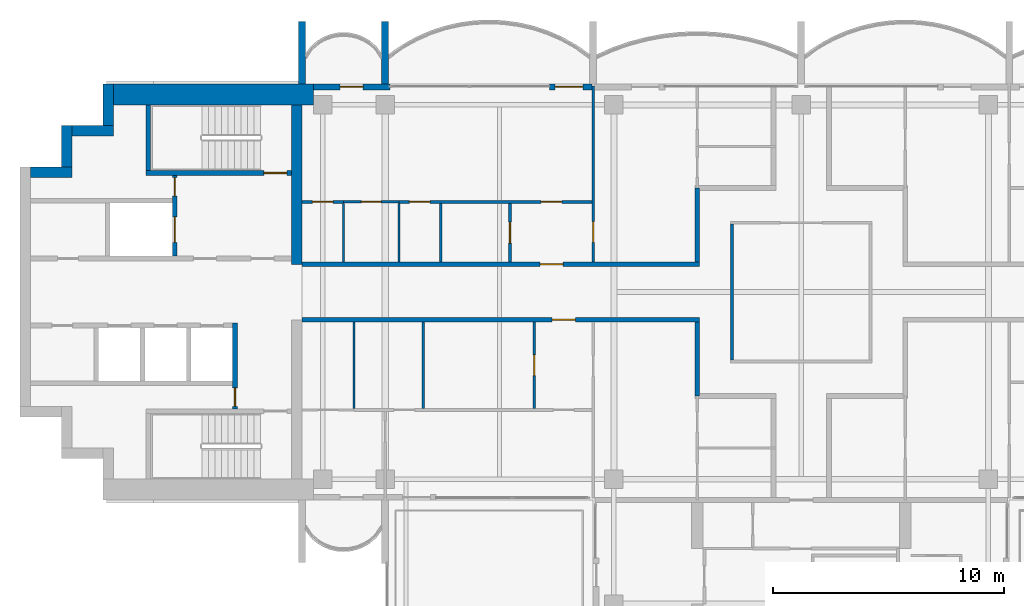
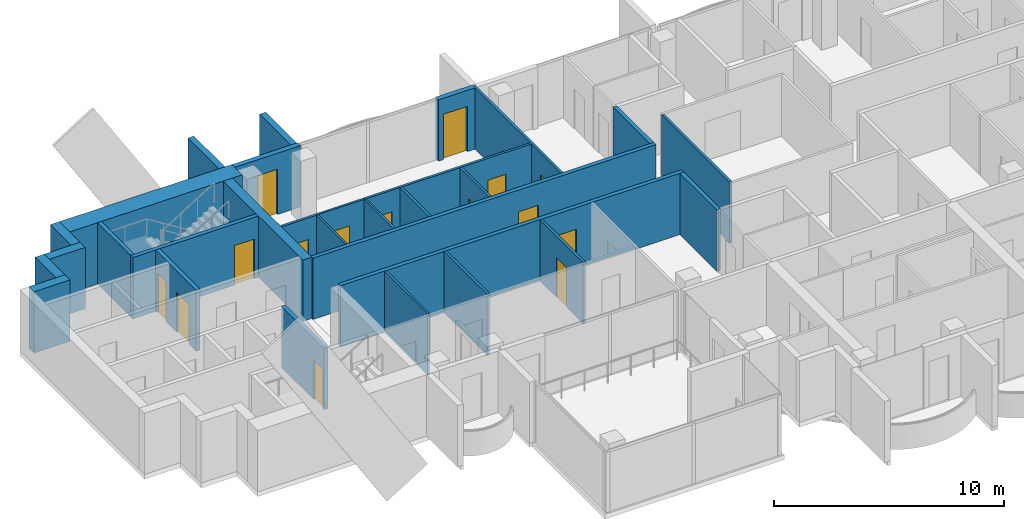
# One storey, part 8 of 16: 30 walls, 15 doors, 15 openings.
"""IFC4 building model written with IfcOpenShell, lengths in metres."""

from ifc_helpers import new_model, si_unit, direction, frame, frame_2d, origin, place, context, subcontext, project, spatial, rectangle, extrude, material, layer, layer_set, type_object, element, fill, save


model = new_model("IFC4")

# Units and contexts
model_context = context("Model", 3, precision=1e-05, world=origin(), true_north=direction((0.0, 1.0)))
body_context = subcontext(model_context, "Body", "Model", "MODEL_VIEW")
ifc_project = project(units=[si_unit("LENGTHUNIT", "METRE"), si_unit("AREAUNIT", "SQUARE_METRE"), si_unit("VOLUMEUNIT", "CUBIC_METRE"), si_unit("PLANEANGLEUNIT", "RADIAN"), si_unit("MASSUNIT", "GRAM", prefix="KILO")], contexts=[model_context])

# Site, building, storey
site_placement = place(None, origin())
site = spatial("IfcSite", under=ifc_project, at=site_placement, CompositionType="ELEMENT")
building_placement = place(site_placement, origin())
building = spatial("IfcBuilding", under=site, at=building_placement, Name="Perihelion Cross Residences", CompositionType="ELEMENT")
storey_placement = place(building_placement, frame((0.0, 0.0, 250.0)))
storey = spatial("IfcBuildingStorey", under=building, at=storey_placement, Name="L63", CompositionType="ELEMENT", Elevation=250.0)

# Wall, opening, door
ifc_material_1 = material(Name="Plasterboard partition")
ifc_layer_1 = layer(ifc_material_1, 0.199951171875)
ifc_layer_set_1 = layer_set([ifc_layer_1], Name="Apartment separation wall 200")
wall_type_1 = type_object("IfcWallType", Name="Apartment separation wall 200", PredefinedType="PARTITIONING", material=ifc_layer_set_1)
wall_1_placement = place(storey_placement, frame((-21.60009765625, 1.199951171875, 0.0), z_axis=(0.0, 0.0, 1.0), x_axis=(1.0, 0.0, 0.0)))
wall_1 = element("IfcWall", 1, at=wall_1_placement, inside=storey, type_object=wall_type_1, Name="Partition L63 W013", PredefinedType="PARTITIONING", context=body_context, shape_type="SweptSolid", body=[
    extrude(rectangle(XDim=17.2001953125, YDim=0.199951171875, at=frame_2d((8.60009765625, 0.0))), origin(), (0.0, 0.0, 1.0), 3.25),
])
opening_1_placement = place(wall_1_placement, frame((10.300048828125, 0.0, 0.0)))
opening_1 = element("IfcOpeningElement", 2, at=opening_1_placement, cuts=wall_1, Name="Opening L63.A40", PredefinedType="OPENING", context=body_context, shape_type="SweptSolid", body=[
    extrude(rectangle(XDim=1.0, YDim=2.10009765625, at=frame_2d((0.5, 1.050048828125))), frame((0.0, 0.10986328125, 0.0), z_axis=(0.0, -1.0, 0.0), x_axis=(1.0, 0.0, 0.0)), (0.0, 0.0, 1.0), 0.219970703125),
])
ifc_material_2 = material(Name="Timber door leaf", Category="wood")
door_type_1 = type_object("IfcDoorType", Name="Flat entrance door 1000 x 2100", OperationType="SINGLE_SWING_LEFT", PredefinedType="DOOR", material=ifc_material_2)
door_1_placement = place(opening_1_placement, origin())
door_1 = element("IfcDoor", 3, at=door_1_placement, inside=storey, type_object=door_type_1, Name="Door L63.A40", OperationType="SINGLE_SWING_RIGHT", OverallHeight=2.10009765625, OverallWidth=1.0, PredefinedType="DOOR", context=body_context, shape_type="SweptSolid", body=[
    extrude(rectangle(XDim=1.0, YDim=2.10009765625, at=frame_2d((0.5, 1.050048828125))), frame((0.0, 0.02490234375, 0.0), z_axis=(0.0, -1.0, 0.0), x_axis=(1.0, 0.0, 0.0)), (0.0, 0.0, 1.0), 0.050048828125),
])
fill(opening_1, door_1)

# Wall
wall_2_placement = place(storey_placement, frame((-4.5, 1.300048828125, 0.0), z_axis=(0.0, 0.0, 1.0), x_axis=(0.0, 1.0, 0.0)))
element("IfcWall", 4, at=wall_2_placement, inside=storey, type_object=wall_type_1, Name="Partition L63 W014", PredefinedType="PARTITIONING", context=body_context, shape_type="SweptSolid", body=[
    extrude(rectangle(XDim=3.199951171875, YDim=0.199951171875, at=frame_2d((1.60009765625, 0.0))), origin(), (0.0, 0.0, 1.0), 3.25),
])

# Wall, opening, door
wall_3_placement = place(storey_placement, frame((-4.39990234375, -1.199951171875, 0.0), z_axis=(0.0, 0.0, 1.0), x_axis=(-1.0, 0.0, 0.0)))
wall_3 = element("IfcWall", 5, at=wall_3_placement, inside=storey, type_object=wall_type_1, Name="Partition L63 W017", PredefinedType="PARTITIONING", context=body_context, shape_type="SweptSolid", body=[
    extrude(rectangle(XDim=17.2001953125, YDim=0.199951171875, at=frame_2d((8.60009765625, 0.0))), origin(), (0.0, 0.0, 1.0), 3.25),
])
opening_2_placement = place(wall_3_placement, frame((5.375, 0.0, 0.0)))
opening_2 = element("IfcOpeningElement", 6, at=opening_2_placement, cuts=wall_3, Name="Opening L63.A41", PredefinedType="OPENING", context=body_context, shape_type="SweptSolid", body=[
    extrude(rectangle(XDim=1.0, YDim=2.10009765625, at=frame_2d((0.5, 1.050048828125))), frame((0.0, 0.10986328125, 0.0), z_axis=(0.0, -1.0, 0.0), x_axis=(1.0, 0.0, 0.0)), (0.0, 0.0, 1.0), 0.219970703125),
])
door_2_placement = place(opening_2_placement, origin())
door_2 = element("IfcDoor", 7, at=door_2_placement, inside=storey, type_object=door_type_1, Name="Door L63.A41", OperationType="SINGLE_SWING_RIGHT", OverallHeight=2.10009765625, OverallWidth=1.0, PredefinedType="DOOR", context=body_context, shape_type="SweptSolid", body=[
    extrude(rectangle(XDim=1.0, YDim=2.10009765625, at=frame_2d((0.5, 1.050048828125))), frame((0.0, 0.02490234375, 0.0), z_axis=(0.0, -1.0, 0.0), x_axis=(1.0, 0.0, 0.0)), (0.0, 0.0, 1.0), 0.050048828125),
])
fill(opening_2, door_2)

# Wall
wall_4_placement = place(storey_placement, frame((-4.5, -4.5, 0.0), z_axis=(0.0, 0.0, 1.0), x_axis=(0.0, 1.0, 0.0)))
element("IfcWall", 8, at=wall_4_placement, inside=storey, type_object=wall_type_1, Name="Partition L63 W018", PredefinedType="PARTITIONING", context=body_context, shape_type="SweptSolid", body=[
    extrude(rectangle(XDim=3.199951171875, YDim=0.199951171875, at=frame_2d((1.60009765625, 0.0))), origin(), (0.0, 0.0, 1.0), 3.25),
])

# Wall, opening, door
ifc_material_3 = material(Name="Concrete C30/37, bronze-clad", Category="concrete")
ifc_layer_2 = layer(ifc_material_3, 0.25)
ifc_layer_set_2 = layer_set([ifc_layer_2], Name="Bronze-clad pier wall 250")
wall_type_2 = type_object("IfcWallType", Name="Bronze-clad pier wall 250", PredefinedType="SOLIDWALL", material=ifc_layer_set_2)
wall_5_placement = place(storey_placement, frame((-9.06005859375, 8.875, 0.0), z_axis=(0.0, 0.0, 1.0), x_axis=(-1.0, 0.0, 0.0)))
wall_5 = element("IfcWall", 9, at=wall_5_placement, inside=storey, type_object=wall_type_2, Name="Wall FW1 L63 west side north bay 1 pier", PredefinedType="SOLIDWALL", context=body_context, shape_type="SweptSolid", body=[
    extrude(rectangle(XDim=1.83984375, YDim=0.25, at=frame_2d((0.919921875, 0.0))), origin(), (0.0, 0.0, 1.0), 3.25),
])
opening_3_placement = place(wall_5_placement, frame((0.389892578125, 0.0, 0.0)))
opening_3 = element("IfcOpeningElement", 10, at=opening_3_placement, cuts=wall_5, Name="Opening L63.E05", PredefinedType="OPENING", context=body_context, shape_type="SweptSolid", body=[
    extrude(rectangle(XDim=1.199951171875, YDim=2.39990234375, at=frame_2d((0.60009765625, 1.199951171875))), frame((0.0, 0.135009765625, 0.0), z_axis=(0.0, -1.0, 0.0), x_axis=(1.0, 0.0, 0.0)), (0.0, 0.0, 1.0), 0.27001953125),
])
ifc_material_4 = material(Name="Bronze anodised aluminium, glazed", Category="aluminium")
door_type_2 = type_object("IfcDoorType", Name="Balcony door 1200 x 2400", OperationType="NOTDEFINED", PredefinedType="DOOR", material=ifc_material_4)
door_3_placement = place(opening_3_placement, origin())
door_3 = element("IfcDoor", 11, at=door_3_placement, inside=storey, type_object=door_type_2, Name="Door L63.E05 west side north bay 1", OperationType="SINGLE_SWING_LEFT", OverallHeight=2.39990234375, OverallWidth=1.199951171875, PredefinedType="DOOR", context=body_context, shape_type="SweptSolid", body=[
    extrude(rectangle(XDim=1.199951171875, YDim=2.39990234375, at=frame_2d((0.60009765625, 1.199951171875))), frame((0.0, 0.02490234375, 0.0), z_axis=(0.0, -1.0, 0.0), x_axis=(1.0, 0.0, 0.0)), (0.0, 0.0, 1.0), 0.050048828125),
])
fill(opening_3, door_3)

wall_6_placement = place(storey_placement, frame((-17.800048828125, 8.875, 0.0), z_axis=(0.0, 0.0, 1.0), x_axis=(-1.0, 0.0, 0.0)))
wall_6 = element("IfcWall", 12, at=wall_6_placement, inside=storey, type_object=wall_type_2, Name="Wall FW1 L63 west side north bay 2 pier", PredefinedType="SOLIDWALL", context=body_context, shape_type="SweptSolid", body=[
    extrude(rectangle(XDim=3.300048828125, YDim=0.25, at=frame_2d((1.64990234375, 0.0))), origin(), (0.0, 0.0, 1.0), 3.25),
])
opening_4_placement = place(wall_6_placement, frame((1.14990234375, 0.0, 0.0)))
opening_4 = element("IfcOpeningElement", 13, at=opening_4_placement, cuts=wall_6, Name="Opening L63.E06", PredefinedType="OPENING", context=body_context, shape_type="SweptSolid", body=[
    extrude(rectangle(XDim=1.0, YDim=2.39990234375, at=frame_2d((0.5, 1.199951171875))), frame((0.0, 0.135009765625, 0.0), z_axis=(0.0, -1.0, 0.0), x_axis=(1.0, 0.0, 0.0)), (0.0, 0.0, 1.0), 0.27001953125),
])
ifc_material_5 = material(Name="Bronze anodised aluminium, glazed", Category="aluminium")
door_type_3 = type_object("IfcDoorType", Name="Balcony door 1000 x 2400", OperationType="NOTDEFINED", PredefinedType="DOOR", material=ifc_material_5)
door_4_placement = place(opening_4_placement, origin())
door_4 = element("IfcDoor", 14, at=door_4_placement, inside=storey, type_object=door_type_3, Name="Door L63.E06 west side north bay 2", OperationType="SINGLE_SWING_RIGHT", OverallHeight=2.39990234375, OverallWidth=1.0, PredefinedType="DOOR", context=body_context, shape_type="SweptSolid", body=[
    extrude(rectangle(XDim=1.0, YDim=2.39990234375, at=frame_2d((0.5, 1.199951171875))), frame((0.0, 0.02490234375, 0.0), z_axis=(0.0, -1.0, 0.0), x_axis=(1.0, 0.0, 0.0)), (0.0, 0.0, 1.0), 0.050048828125),
])
fill(opening_4, door_4)

# Walls
ifc_material_6 = material(Name="Concrete C60/75", Category="concrete")
ifc_layer_3 = layer(ifc_material_6, 0.449951171875)
ifc_layer_set_3 = layer_set([ifc_layer_3], Name="Core wall, inner 450")
wall_type_3 = type_object("IfcWallType", Name="Core wall, inner 450", PredefinedType="SHEAR", material=ifc_layer_set_3)
wall_7_placement = place(storey_placement, frame((-21.824951171875, 1.199951171875, 0.0), z_axis=(0.0, 0.0, 1.0), x_axis=(0.0, 1.0, 0.0)))
element("IfcWall", 15, at=wall_7_placement, inside=storey, type_object=wall_type_3, Name="West core core wall, inner", PredefinedType="SHEAR", context=body_context, shape_type="SweptSolid", body=[
    extrude(rectangle(XDim=6.900146484375, YDim=0.449951171875, at=frame_2d((3.4501953125, 0.0))), origin(), (0.0, 0.0, 1.0), 3.25),
])
ifc_material_7 = material(Name="Concrete C60/75", Category="concrete")
ifc_layer_4 = layer(ifc_material_7, 0.449951171875)
ifc_layer_set_4 = layer_set([ifc_layer_4], Name="Core wall, outer 450")
wall_type_4 = type_object("IfcWallType", Name="Core wall, outer 450", PredefinedType="SHEAR", material=ifc_layer_set_4)
for number, where, z_axis, x_axis, name in (
    (16, (-33.35009765625, 5.175048828125, 0.0), (0.0, 0.0, 1.0), (1.0, 0.0, 0.0), "West core core wall, outer"),
    (17, (-31.77490234375, 5.39990234375, 0.0), (0.0, 0.0, 1.0), (0.0, 1.0, 0.0), "West core core wall, outer"),
    (18, (-31.550048828125, 6.97509765625, 0.0), (0.0, 0.0, 1.0), (1.0, 0.0, 0.0), "West core core wall, outer"),
    (19, (-29.97509765625, 7.199951171875, 0.0), (0.0, 0.0, 1.0), (0.0, 1.0, 0.0), "West core core wall, outer"),
):
    element("IfcWall", number, at=place(storey_placement, frame(where, z_axis=z_axis, x_axis=x_axis)), inside=storey, type_object=wall_type_4, Name=name, PredefinedType="SHEAR", context=body_context, shape_type="SweptSolid", body=[
        extrude(rectangle(XDim=1.800048828125, YDim=0.449951171875, at=frame_2d((0.89990234375, 0.0))), origin(), (0.0, 0.0, 1.0), 3.25),
    ])
ifc_material_8 = material(Name="Concrete C60/75", Category="concrete")
ifc_layer_5 = layer(ifc_material_8, 0.89990234375)
ifc_layer_set_5 = layer_set([ifc_layer_5], Name="Core wall, outer 900")
wall_type_5 = type_object("IfcWallType", Name="Core wall, outer 900", PredefinedType="SHEAR", material=ifc_layer_set_5)
wall_8_placement = place(storey_placement, frame((-29.75, 8.550048828125, 0.0), z_axis=(0.0, 0.0, 1.0), x_axis=(1.0, 0.0, 0.0)))
element("IfcWall", 20, at=wall_8_placement, inside=storey, type_object=wall_type_5, Name="West core core wall, outer", PredefinedType="SHEAR", context=body_context, shape_type="SweptSolid", body=[
    extrude(rectangle(XDim=8.64990234375, YDim=0.89990234375, at=frame_2d((4.324951171875, 0.0))), origin(), (0.0, 0.0, 1.0), 3.25),
])

# Wall, opening, door
ifc_material_9 = material(Name="Concrete C50/60", Category="concrete")
ifc_layer_6 = layer(ifc_material_9, 0.199951171875)
ifc_layer_set_6 = layer_set([ifc_layer_6], Name="Lobby wall 200")
wall_type_6 = type_object("IfcWallType", Name="Lobby wall 200", PredefinedType="SOLIDWALL", material=ifc_layer_set_6)
wall_9_placement = place(storey_placement, frame((-24.5, -5.050048828125, 0.0), z_axis=(0.0, 0.0, 1.0), x_axis=(0.0, 1.0, 0.0)))
wall_9 = element("IfcWall", 21, at=wall_9_placement, inside=storey, type_object=wall_type_6, Name="West core lobby wall", PredefinedType="SOLIDWALL", context=body_context, shape_type="SweptSolid", body=[
    extrude(rectangle(XDim=3.699951171875, YDim=0.199951171875, at=frame_2d((1.85009765625, 0.0))), origin(), (0.0, 0.0, 1.0), 3.25),
])
opening_5_placement = place(wall_9_placement, frame((0.10009765625, 0.0, 0.0)))
opening_5 = element("IfcOpeningElement", 22, at=opening_5_placement, cuts=wall_9, Name="Opening L63.C20", PredefinedType="OPENING", context=body_context, shape_type="SweptSolid", body=[
    extrude(rectangle(XDim=0.800048828125, YDim=2.10009765625, at=frame_2d((0.39990234375, 1.050048828125))), frame((0.0, 0.10986328125, 0.0), z_axis=(0.0, -1.0, 0.0), x_axis=(1.0, 0.0, 0.0)), (0.0, 0.0, 1.0), 0.219970703125),
])
ifc_material_10 = material(Name="Steel, powder coated", Category="steel")
door_type_4 = type_object("IfcDoorType", Name="Riser door 800", OperationType="SINGLE_SWING_LEFT", PredefinedType="DOOR", material=ifc_material_10)
door_5_placement = place(opening_5_placement, origin())
door_5 = element("IfcDoor", 23, at=door_5_placement, inside=storey, type_object=door_type_4, Name="West core riser door", OperationType="SINGLE_SWING_LEFT", OverallHeight=2.10009765625, OverallWidth=0.800048828125, PredefinedType="DOOR", context=body_context, shape_type="SweptSolid", body=[
    extrude(rectangle(XDim=0.800048828125, YDim=2.10009765625, at=frame_2d((0.39990234375, 1.050048828125))), frame((0.0, 0.02490234375, 0.0), z_axis=(0.0, -1.0, 0.0), x_axis=(1.0, 0.0, 0.0)), (0.0, 0.0, 1.0), 0.050048828125),
])
fill(opening_5, door_5)

# Wall
ifc_material_11 = material(Name="Plasterboard partition")
ifc_layer_7 = layer(ifc_material_11, 0.1201171875)
ifc_layer_set_7 = layer_set([ifc_layer_7], Name="Partition wall 120")
wall_type_7 = type_object("IfcWallType", Name="Partition wall 120", PredefinedType="PARTITIONING", material=ifc_layer_set_7)
wall_10_placement = place(storey_placement, frame((-3.0, 2.93994140625, 0.0), z_axis=(0.0, 0.0, 1.0), x_axis=(0.0, -1.0, 0.0)))
element("IfcWall", 24, at=wall_10_placement, inside=storey, type_object=wall_type_7, Name="Partition L63 W004", PredefinedType="PARTITIONING", context=body_context, shape_type="SweptSolid", body=[
    extrude(rectangle(XDim=5.8798828125, YDim=0.1201171875, at=frame_2d((2.93994140625, 0.0))), origin(), (0.0, 0.0, 1.0), 3.25),
])

# Wall, opening, door
wall_11_placement = place(storey_placement, frame((-12.60009765625, 1.300048828125, 0.0), z_axis=(0.0, 0.0, 1.0), x_axis=(0.0, 1.0, 0.0)))
wall_11 = element("IfcWall", 25, at=wall_11_placement, inside=storey, type_object=wall_type_7, Name="Partition L63 W040", PredefinedType="PARTITIONING", context=body_context, shape_type="SweptSolid", body=[
    extrude(rectangle(XDim=2.5400390625, YDim=0.1201171875, at=frame_2d((1.27001953125, 0.0))), origin(), (0.0, 0.0, 1.0), 3.25),
])
opening_6_placement = place(wall_11_placement, frame((0.820068359375, 0.0, 0.0)))
opening_6 = element("IfcOpeningElement", 26, at=opening_6_placement, cuts=wall_11, Name="Opening L63.A18", PredefinedType="OPENING", context=body_context, shape_type="SweptSolid", body=[
    extrude(rectangle(XDim=0.89990234375, YDim=2.10009765625, at=frame_2d((0.449951171875, 1.050048828125))), frame((0.0, 0.070068359375, 0.0), z_axis=(0.0, -1.0, 0.0), x_axis=(1.0, 0.0, 0.0)), (0.0, 0.0, 1.0), 0.14013671875),
])
ifc_material_12 = material(Name="Timber door leaf", Category="wood")
door_type_5 = type_object("IfcDoorType", Name="Interior room door 900 x 2100", OperationType="SINGLE_SWING_LEFT", PredefinedType="DOOR", material=ifc_material_12)
door_6_placement = place(opening_6_placement, origin())
door_6 = element("IfcDoor", 27, at=door_6_placement, inside=storey, type_object=door_type_5, Name="Door L63.A18", OperationType="SINGLE_SWING_RIGHT", OverallHeight=2.10009765625, OverallWidth=0.89990234375, PredefinedType="DOOR", context=body_context, shape_type="SweptSolid", body=[
    extrude(rectangle(XDim=0.89990234375, YDim=2.10009765625, at=frame_2d((0.449951171875, 1.050048828125))), frame((0.0, 0.02490234375, 0.0), z_axis=(0.0, -1.0, 0.0), x_axis=(1.0, 0.0, 0.0)), (0.0, 0.0, 1.0), 0.050048828125),
])
fill(opening_6, door_6)

# Wall, openings, doors
wall_12_placement = place(storey_placement, frame((-17.39990234375, 3.89990234375, 0.0), z_axis=(0.0, 0.0, 1.0), x_axis=(1.0, 0.0, 0.0)))
wall_12 = element("IfcWall", 28, at=wall_12_placement, inside=storey, type_object=wall_type_7, Name="Partition L63 W041", PredefinedType="PARTITIONING", context=body_context, shape_type="SweptSolid", body=[
    extrude(rectangle(XDim=8.4599609375, YDim=0.1201171875, at=frame_2d((4.22998046875, 0.0))), origin(), (0.0, 0.0, 1.0), 3.25),
])
opening_7_placement = place(wall_12_placement, frame((0.449951171875, 0.0, 0.0)))
opening_7 = element("IfcOpeningElement", 29, at=opening_7_placement, cuts=wall_12, Name="Opening L63.A19", PredefinedType="OPENING", context=body_context, shape_type="SweptSolid", body=[
    extrude(rectangle(XDim=0.89990234375, YDim=2.10009765625, at=frame_2d((0.449951171875, 1.050048828125))), frame((0.0, 0.070068359375, 0.0), z_axis=(0.0, -1.0, 0.0), x_axis=(1.0, 0.0, 0.0)), (0.0, 0.0, 1.0), 0.14013671875),
])
opening_8_placement = place(wall_12_placement, frame((6.14990234375, 0.0, 0.0)))
opening_8 = element("IfcOpeningElement", 30, at=opening_8_placement, cuts=wall_12, Name="Opening L63.A23", PredefinedType="OPENING", context=body_context, shape_type="SweptSolid", body=[
    extrude(rectangle(XDim=0.89990234375, YDim=2.10009765625, at=frame_2d((0.449951171875, 1.050048828125))), frame((0.0, 0.070068359375, 0.0), z_axis=(0.0, -1.0, 0.0), x_axis=(1.0, 0.0, 0.0)), (0.0, 0.0, 1.0), 0.14013671875),
])
door_7_placement = place(opening_7_placement, origin())
door_7 = element("IfcDoor", 31, at=door_7_placement, inside=storey, type_object=door_type_5, Name="Door L63.A19", OperationType="SINGLE_SWING_LEFT", OverallHeight=2.10009765625, OverallWidth=0.89990234375, PredefinedType="DOOR", context=body_context, shape_type="SweptSolid", body=[
    extrude(rectangle(XDim=0.89990234375, YDim=2.10009765625, at=frame_2d((0.449951171875, 1.050048828125))), frame((0.0, 0.02490234375, 0.0), z_axis=(0.0, -1.0, 0.0), x_axis=(1.0, 0.0, 0.0)), (0.0, 0.0, 1.0), 0.050048828125),
])
fill(opening_7, door_7)
door_8_placement = place(opening_8_placement, origin())
door_8 = element("IfcDoor", 32, at=door_8_placement, inside=storey, type_object=door_type_5, Name="Door L63.A23", OperationType="SINGLE_SWING_LEFT", OverallHeight=2.10009765625, OverallWidth=0.89990234375, PredefinedType="DOOR", context=body_context, shape_type="SweptSolid", body=[
    extrude(rectangle(XDim=0.89990234375, YDim=2.10009765625, at=frame_2d((0.449951171875, 1.050048828125))), frame((0.0, 0.02490234375, 0.0), z_axis=(0.0, -1.0, 0.0), x_axis=(1.0, 0.0, 0.0)), (0.0, 0.0, 1.0), 0.050048828125),
])
fill(opening_8, door_8)

# Wall, opening, door
wall_13_placement = place(storey_placement, frame((-9.0, 8.919921875, 0.0), z_axis=(0.0, 0.0, 1.0), x_axis=(0.0, -1.0, 0.0)))
wall_13 = element("IfcWall", 33, at=wall_13_placement, inside=storey, type_object=wall_type_7, Name="Partition L63 W042", PredefinedType="PARTITIONING", context=body_context, shape_type="SweptSolid", body=[
    extrude(rectangle(XDim=7.619873046875, YDim=0.1201171875, at=frame_2d((3.81005859375, 0.0))), origin(), (0.0, 0.0, 1.0), 3.25),
])
opening_9_placement = place(wall_13_placement, frame((5.8701171875, 0.0, 0.0)))
opening_9 = element("IfcOpeningElement", 34, at=opening_9_placement, cuts=wall_13, Name="Opening L63.A20", PredefinedType="OPENING", context=body_context, shape_type="SweptSolid", body=[
    extrude(rectangle(XDim=0.89990234375, YDim=2.10009765625, at=frame_2d((0.449951171875, 1.050048828125))), frame((0.0, 0.070068359375, 0.0), z_axis=(0.0, -1.0, 0.0), x_axis=(1.0, 0.0, 0.0)), (0.0, 0.0, 1.0), 0.14013671875),
])
door_9_placement = place(opening_9_placement, origin())
door_9 = element("IfcDoor", 35, at=door_9_placement, inside=storey, type_object=door_type_5, Name="Door L63.A20", OperationType="SINGLE_SWING_RIGHT", OverallHeight=2.10009765625, OverallWidth=0.89990234375, PredefinedType="DOOR", context=body_context, shape_type="SweptSolid", body=[
    extrude(rectangle(XDim=0.89990234375, YDim=2.10009765625, at=frame_2d((0.449951171875, 1.050048828125))), frame((0.0, 0.02490234375, 0.0), z_axis=(0.0, -1.0, 0.0), x_axis=(1.0, 0.0, 0.0)), (0.0, 0.0, 1.0), 0.050048828125),
])
fill(opening_9, door_9)

# Wall
wall_14_placement = place(storey_placement, frame((-15.60009765625, 1.300048828125, 0.0), z_axis=(0.0, 0.0, 1.0), x_axis=(0.0, 1.0, 0.0)))
element("IfcWall", 36, at=wall_14_placement, inside=storey, type_object=wall_type_7, Name="Partition L63 W043", PredefinedType="PARTITIONING", context=body_context, shape_type="SweptSolid", body=[
    extrude(rectangle(XDim=2.5400390625, YDim=0.1201171875, at=frame_2d((1.27001953125, 0.0))), origin(), (0.0, 0.0, 1.0), 3.25),
])

# Wall, opening, door
wall_15_placement = place(storey_placement, frame((-21.60009765625, 3.89990234375, 0.0), z_axis=(0.0, 0.0, 1.0), x_axis=(1.0, 0.0, 0.0)))
wall_15 = element("IfcWall", 37, at=wall_15_placement, inside=storey, type_object=wall_type_7, Name="Partition L63 W047", PredefinedType="PARTITIONING", context=body_context, shape_type="SweptSolid", body=[
    extrude(rectangle(XDim=1.800048828125, YDim=0.1201171875, at=frame_2d((0.89990234375, 0.0))), origin(), (0.0, 0.0, 1.0), 3.25),
])
opening_10_placement = place(wall_15_placement, frame((0.449951171875, 0.0, 0.0)))
opening_10 = element("IfcOpeningElement", 38, at=opening_10_placement, cuts=wall_15, Name="Opening L63.A17", PredefinedType="OPENING", context=body_context, shape_type="SweptSolid", body=[
    extrude(rectangle(XDim=0.89990234375, YDim=2.10009765625, at=frame_2d((0.449951171875, 1.050048828125))), frame((0.0, 0.070068359375, 0.0), z_axis=(0.0, -1.0, 0.0), x_axis=(1.0, 0.0, 0.0)), (0.0, 0.0, 1.0), 0.14013671875),
])
door_10_placement = place(opening_10_placement, origin())
door_10 = element("IfcDoor", 39, at=door_10_placement, inside=storey, type_object=door_type_5, Name="Door L63.A17", OperationType="SINGLE_SWING_RIGHT", OverallHeight=2.10009765625, OverallWidth=0.89990234375, PredefinedType="DOOR", context=body_context, shape_type="SweptSolid", body=[
    extrude(rectangle(XDim=0.89990234375, YDim=2.10009765625, at=frame_2d((0.449951171875, 1.050048828125))), frame((0.0, 0.02490234375, 0.0), z_axis=(0.0, -1.0, 0.0), x_axis=(1.0, 0.0, 0.0)), (0.0, 0.0, 1.0), 0.050048828125),
])
fill(opening_10, door_10)

wall_16_placement = place(storey_placement, frame((-11.550048828125, -5.0400390625, 0.0), z_axis=(0.0, 0.0, 1.0), x_axis=(0.0, 1.0, 0.0)))
wall_16 = element("IfcWall", 40, at=wall_16_placement, inside=storey, type_object=wall_type_7, Name="Partition L63 W051", PredefinedType="PARTITIONING", context=body_context, shape_type="SweptSolid", body=[
    extrude(rectangle(XDim=3.739990234375, YDim=0.1201171875, at=frame_2d((1.8701171875, 0.0))), origin(), (0.0, 0.0, 1.0), 3.25),
])
opening_11_placement = place(wall_16_placement, frame((1.419921875, 0.0, 0.0)))
opening_11 = element("IfcOpeningElement", 41, at=opening_11_placement, cuts=wall_16, Name="Opening L63.A27", PredefinedType="OPENING", context=body_context, shape_type="SweptSolid", body=[
    extrude(rectangle(XDim=0.89990234375, YDim=2.10009765625, at=frame_2d((0.449951171875, 1.050048828125))), frame((0.0, 0.070068359375, 0.0), z_axis=(0.0, -1.0, 0.0), x_axis=(1.0, 0.0, 0.0)), (0.0, 0.0, 1.0), 0.14013671875),
])
door_11_placement = place(opening_11_placement, origin())
door_11 = element("IfcDoor", 42, at=door_11_placement, inside=storey, type_object=door_type_5, Name="Door L63.A27", OperationType="SINGLE_SWING_RIGHT", OverallHeight=2.10009765625, OverallWidth=0.89990234375, PredefinedType="DOOR", context=body_context, shape_type="SweptSolid", body=[
    extrude(rectangle(XDim=0.89990234375, YDim=2.10009765625, at=frame_2d((0.449951171875, 1.050048828125))), frame((0.0, 0.02490234375, 0.0), z_axis=(0.0, -1.0, 0.0), x_axis=(1.0, 0.0, 0.0)), (0.0, 0.0, 1.0), 0.050048828125),
])
fill(opening_11, door_11)

# Walls
wall_17_placement = place(storey_placement, frame((-16.35009765625, -5.0400390625, 0.0), z_axis=(0.0, 0.0, 1.0), x_axis=(0.0, 1.0, 0.0)))
element("IfcWall", 43, at=wall_17_placement, inside=storey, type_object=wall_type_7, Name="Partition L63 W054", PredefinedType="PARTITIONING", context=body_context, shape_type="SweptSolid", body=[
    extrude(rectangle(XDim=3.739990234375, YDim=0.1201171875, at=frame_2d((1.8701171875, 0.0))), origin(), (0.0, 0.0, 1.0), 3.25),
])
ifc_material_13 = material(Name="Precast concrete C50/60", Category="concrete")
ifc_layer_8 = layer(ifc_material_13, 0.300048828125)
ifc_layer_set_8 = layer_set([ifc_layer_8], Name="Precast concrete C50/60 blade wall 300")
wall_type_8 = type_object("IfcWallType", Name="Precast concrete C50/60 blade wall 300", PredefinedType="SOLIDWALL", material=ifc_layer_set_8)
for number, where, z_axis, x_axis, name in (
    (44, (-21.60009765625, 9.0, 0.0), (0.0, 0.0, 1.0), (0.0, 1.0, 0.0), "Wall BL1 L63 no. 4"),
    (45, (-18.0, 9.0, 0.0), (0.0, 0.0, 1.0), (0.0, 1.0, 0.0), "Wall BL1 L63 no. 2"),
):
    element("IfcWall", number, at=place(storey_placement, frame(where, z_axis=z_axis, x_axis=x_axis)), inside=storey, type_object=wall_type_8, Name=name, PredefinedType="SOLIDWALL", context=body_context, shape_type="SweptSolid", body=[
        extrude(rectangle(XDim=2.699951171875, YDim=0.300048828125, at=frame_2d((1.35009765625, 0.0))), origin(), (0.0, 0.0, 1.0), 3.25),
    ])

# Wall, openings, doors
ifc_material_14 = material(Name="Concrete C50/60", Category="concrete")
ifc_layer_9 = layer(ifc_material_14, 0.199951171875)
ifc_layer_set_9 = layer_set([ifc_layer_9], Name="Shaft wall 200")
wall_type_9 = type_object("IfcWallType", Name="Shaft wall 200", PredefinedType="SOLIDWALL", material=ifc_layer_set_9)
wall_18_placement = place(storey_placement, frame((-27.10009765625, 1.550048828125, 0.0), z_axis=(0.0, 0.0, 1.0), x_axis=(0.0, 1.0, 0.0)))
wall_18 = element("IfcWall", 46, at=wall_18_placement, inside=storey, type_object=wall_type_9, Name="West core shaft wall", PredefinedType="SOLIDWALL", context=body_context, shape_type="SweptSolid", body=[
    extrude(rectangle(XDim=3.5, YDim=0.199951171875, at=frame_2d((1.75, 0.0))), origin(), (0.0, 0.0, 1.0), 3.25),
])
opening_12_placement = place(wall_18_placement, frame((0.60009765625, 0.0, 0.0)))
opening_12 = element("IfcOpeningElement", 47, at=opening_12_placement, cuts=wall_18, Name="Opening L63.C14", PredefinedType="OPENING", context=body_context, shape_type="SweptSolid", body=[
    extrude(rectangle(XDim=1.10009765625, YDim=2.10009765625, at=frame_2d((0.550048828125, 1.050048828125))), frame((0.0, 0.10986328125, 0.0), z_axis=(0.0, -1.0, 0.0), x_axis=(1.0, 0.0, 0.0)), (0.0, 0.0, 1.0), 0.219970703125),
])
opening_13_placement = place(wall_18_placement, frame((2.60009765625, 0.0, 0.0)))
opening_13 = element("IfcOpeningElement", 48, at=opening_13_placement, cuts=wall_18, Name="Opening L63.C22", PredefinedType="OPENING", context=body_context, shape_type="SweptSolid", body=[
    extrude(rectangle(XDim=0.800048828125, YDim=2.10009765625, at=frame_2d((0.39990234375, 1.050048828125))), frame((0.0, 0.10986328125, 0.0), z_axis=(0.0, -1.0, 0.0), x_axis=(1.0, 0.0, 0.0)), (0.0, 0.0, 1.0), 0.219970703125),
])
ifc_material_15 = material(Name="Stainless steel", Category="steel")
door_type_6 = type_object("IfcDoorType", Name="Landing door, firefighting lift 1100", OperationType="DOUBLE_DOOR_SLIDING", PredefinedType="DOOR", material=ifc_material_15)
door_12_placement = place(opening_12_placement, origin())
door_12 = element("IfcDoor", 49, at=door_12_placement, inside=storey, type_object=door_type_6, Name="Landing door, West core firefighting and service lift", OperationType="DOUBLE_DOOR_SLIDING", OverallHeight=2.10009765625, OverallWidth=1.10009765625, PredefinedType="DOOR", context=body_context, shape_type="SweptSolid", body=[
    extrude(rectangle(XDim=1.10009765625, YDim=2.10009765625, at=frame_2d((0.550048828125, 1.050048828125))), frame((0.0, 0.02490234375, 0.0), z_axis=(0.0, -1.0, 0.0), x_axis=(1.0, 0.0, 0.0)), (0.0, 0.0, 1.0), 0.050048828125),
])
fill(opening_12, door_12)
door_13_placement = place(opening_13_placement, origin())
door_13 = element("IfcDoor", 50, at=door_13_placement, inside=storey, type_object=door_type_4, Name="West core riser door", OperationType="SINGLE_SWING_LEFT", OverallHeight=2.10009765625, OverallWidth=0.800048828125, PredefinedType="DOOR", context=body_context, shape_type="SweptSolid", body=[
    extrude(rectangle(XDim=0.800048828125, YDim=2.10009765625, at=frame_2d((0.39990234375, 1.050048828125))), frame((0.0, 0.02490234375, 0.0), z_axis=(0.0, -1.0, 0.0), x_axis=(1.0, 0.0, 0.0)), (0.0, 0.0, 1.0), 0.050048828125),
])
fill(opening_13, door_13)

# Wall, opening, door
ifc_material_16 = material(Name="Concrete C50/60", Category="concrete")
ifc_layer_10 = layer(ifc_material_16, 0.199951171875)
ifc_layer_set_10 = layer_set([ifc_layer_10], Name="Stair wall 200")
wall_type_10 = type_object("IfcWallType", Name="Stair wall 200", PredefinedType="SOLIDWALL", material=ifc_layer_set_10)
wall_19_placement = place(storey_placement, frame((-28.35009765625, 5.14990234375, 0.0), z_axis=(0.0, 0.0, 1.0), x_axis=(1.0, 0.0, 0.0)))
wall_19 = element("IfcWall", 51, at=wall_19_placement, inside=storey, type_object=wall_type_10, Name="West core stair wall", PredefinedType="SOLIDWALL", context=body_context, shape_type="SweptSolid", body=[
    extrude(rectangle(XDim=6.300048828125, YDim=0.199951171875, at=frame_2d((3.14990234375, 0.0))), origin(), (0.0, 0.0, 1.0), 3.25),
])
opening_14_placement = place(wall_19_placement, frame((5.10009765625, 0.0, 0.0)))
opening_14 = element("IfcOpeningElement", 52, at=opening_14_placement, cuts=wall_19, Name="Opening L63.C18", PredefinedType="OPENING", context=body_context, shape_type="SweptSolid", body=[
    extrude(rectangle(XDim=1.0, YDim=2.10009765625, at=frame_2d((0.5, 1.050048828125))), frame((0.0, 0.10986328125, 0.0), z_axis=(0.0, -1.0, 0.0), x_axis=(1.0, 0.0, 0.0)), (0.0, 0.0, 1.0), 0.219970703125),
])
ifc_material_17 = material(Name="Steel, powder coated", Category="steel")
door_type_7 = type_object("IfcDoorType", Name="Stair door 1000", OperationType="SINGLE_SWING_LEFT", PredefinedType="DOOR", material=ifc_material_17)
door_14_placement = place(opening_14_placement, origin())
door_14 = element("IfcDoor", 53, at=door_14_placement, inside=storey, type_object=door_type_7, Name="West core stair door", OperationType="SINGLE_SWING_LEFT", OverallHeight=2.10009765625, OverallWidth=1.0, PredefinedType="DOOR", context=body_context, shape_type="SweptSolid", body=[
    extrude(rectangle(XDim=1.0, YDim=2.10009765625, at=frame_2d((0.5, 1.050048828125))), frame((0.0, 0.02490234375, 0.0), z_axis=(0.0, -1.0, 0.0), x_axis=(1.0, 0.0, 0.0)), (0.0, 0.0, 1.0), 0.050048828125),
])
fill(opening_14, door_14)

# Walls
wall_20_placement = place(storey_placement, frame((-28.25, 5.25, 0.0), z_axis=(0.0, 0.0, 1.0), x_axis=(0.0, 1.0, 0.0)))
element("IfcWall", 54, at=wall_20_placement, inside=storey, type_object=wall_type_10, Name="West core stair wall", PredefinedType="SOLIDWALL", context=body_context, shape_type="SweptSolid", body=[
    extrude(rectangle(XDim=2.85009765625, YDim=0.199951171875, at=frame_2d((1.425048828125, 0.0))), origin(), (0.0, 0.0, 1.0), 3.25),
])
ifc_material_18 = material(Name="Plasterboard partition")
ifc_layer_11 = layer(ifc_material_18, 0.10009765625)
ifc_layer_set_11 = layer_set([ifc_layer_11], Name="Wet room wall 100")
wall_type_11 = type_object("IfcWallType", Name="Wet room wall 100", PredefinedType="PARTITIONING", material=ifc_layer_set_11)
for number, where, z_axis, x_axis, name in (
    (55, (-17.39990234375, 1.300048828125, 0.0), (0.0, 0.0, 1.0), (0.0, 1.0, 0.0), "Partition L63 W044"),
    (56, (-19.800048828125, 1.300048828125, 0.0), (0.0, 0.0, 1.0), (0.0, 1.0, 0.0), "Partition L63 W045"),
):
    element("IfcWall", number, at=place(storey_placement, frame(where, z_axis=z_axis, x_axis=x_axis)), inside=storey, type_object=wall_type_11, Name=name, PredefinedType="PARTITIONING", context=body_context, shape_type="SweptSolid", body=[
        extrude(rectangle(XDim=2.5400390625, YDim=0.10009765625, at=frame_2d((1.27001953125, 0.0))), origin(), (0.0, 0.0, 1.0), 3.25),
    ])

# Wall, opening, door
wall_21_placement = place(storey_placement, frame((-19.800048828125, 3.89990234375, 0.0), z_axis=(0.0, 0.0, 1.0), x_axis=(1.0, 0.0, 0.0)))
wall_21 = element("IfcWall", 57, at=wall_21_placement, inside=storey, type_object=wall_type_11, Name="Partition L63 W046", PredefinedType="PARTITIONING", context=body_context, shape_type="SweptSolid", body=[
    extrude(rectangle(XDim=2.400146484375, YDim=0.10009765625, at=frame_2d((1.2001953125, 0.0))), origin(), (0.0, 0.0, 1.0), 3.25),
])
opening_15_placement = place(wall_21_placement, frame((0.77490234375, 0.0, 0.0)))
opening_15 = element("IfcOpeningElement", 58, at=opening_15_placement, cuts=wall_21, Name="Opening L63.A16", PredefinedType="OPENING", context=body_context, shape_type="SweptSolid", body=[
    extrude(rectangle(XDim=0.85009765625, YDim=2.10009765625, at=frame_2d((0.425048828125, 1.050048828125))), frame((0.0, 0.06005859375, 0.0), z_axis=(0.0, -1.0, 0.0), x_axis=(1.0, 0.0, 0.0)), (0.0, 0.0, 1.0), 0.1201171875),
])
ifc_material_19 = material(Name="Timber door leaf", Category="wood")
door_type_8 = type_object("IfcDoorType", Name="Interior bathroom door 850 x 2100", OperationType="SINGLE_SWING_LEFT", PredefinedType="DOOR", material=ifc_material_19)
door_15_placement = place(opening_15_placement, origin())
door_15 = element("IfcDoor", 59, at=door_15_placement, inside=storey, type_object=door_type_8, Name="Door L63.A16", OperationType="SINGLE_SWING_LEFT", OverallHeight=2.10009765625, OverallWidth=0.85009765625, PredefinedType="DOOR", context=body_context, shape_type="SweptSolid", body=[
    extrude(rectangle(XDim=0.85009765625, YDim=2.10009765625, at=frame_2d((0.425048828125, 1.050048828125))), frame((0.0, 0.02490234375, 0.0), z_axis=(0.0, -1.0, 0.0), x_axis=(1.0, 0.0, 0.0)), (0.0, 0.0, 1.0), 0.050048828125),
])
fill(opening_15, door_15)

# Wall
wall_22_placement = place(storey_placement, frame((-19.35009765625, -5.0400390625, 0.0), z_axis=(0.0, 0.0, 1.0), x_axis=(0.0, 1.0, 0.0)))
element("IfcWall", 60, at=wall_22_placement, inside=storey, type_object=wall_type_11, Name="Partition L63 W055", PredefinedType="PARTITIONING", context=body_context, shape_type="SweptSolid", body=[
    extrude(rectangle(XDim=3.739990234375, YDim=0.10009765625, at=frame_2d((1.8701171875, 0.0))), origin(), (0.0, 0.0, 1.0), 3.25),
])

save(model, "model.ifc")
